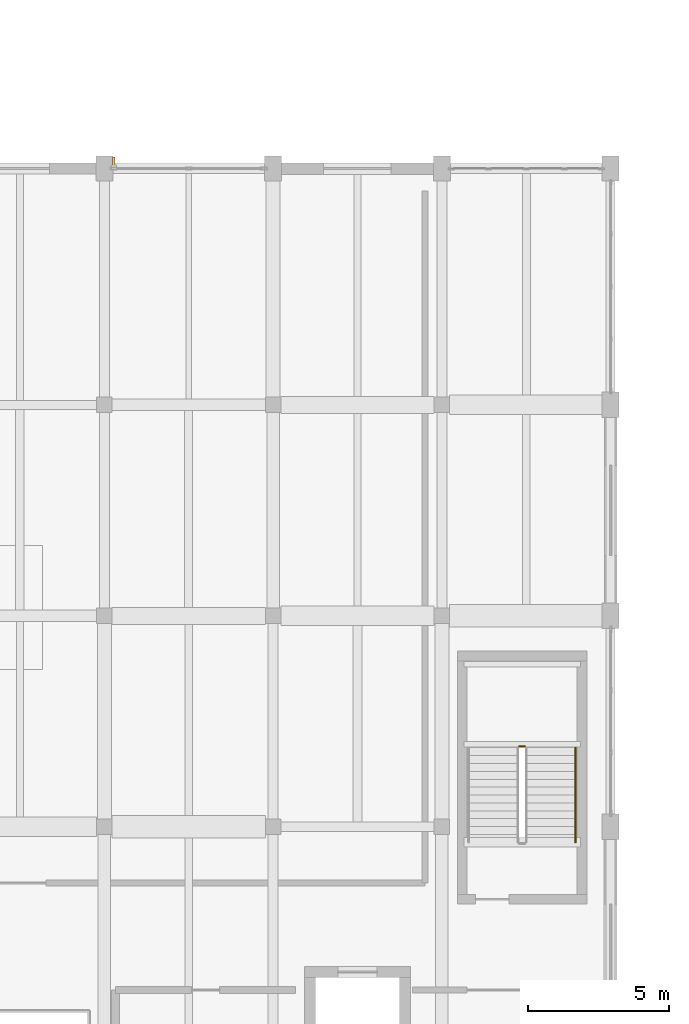
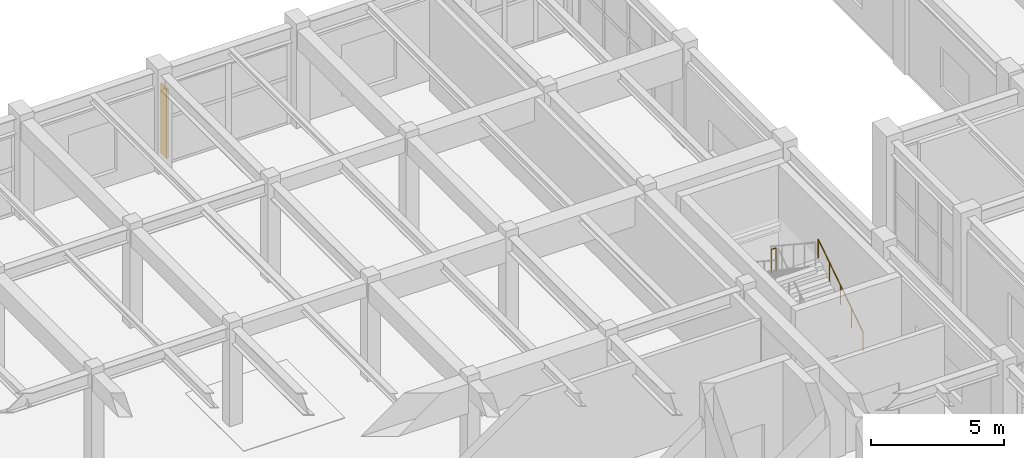
# One storey, part 93 of 96: 2 railings, 1 shading device.
"""IFC4 building model written with IfcOpenShell, lengths in metres."""

from ifc_helpers import new_model, si_unit, direction, frame, origin, origin_2d, place, context, subcontext, project, spatial, rectangle, circle, extrude, material, type_object, element, save


model = new_model("IFC4")

# Units and contexts
model_context = context("Model", 3, precision=1e-05, world=origin(), true_north=direction((0.0, 1.0)))
body_context = subcontext(model_context, "Body", "Model", "MODEL_VIEW")
ifc_project = project(units=[si_unit("LENGTHUNIT", "METRE"), si_unit("AREAUNIT", "SQUARE_METRE"), si_unit("VOLUMEUNIT", "CUBIC_METRE"), si_unit("PLANEANGLEUNIT", "RADIAN"), si_unit("MASSUNIT", "GRAM", prefix="KILO")], contexts=[model_context])

# Site, building, storey
site_placement = place(None, origin())
site = spatial("IfcSite", under=ifc_project, at=site_placement, CompositionType="ELEMENT")
building_placement = place(site_placement, origin())
building = spatial("IfcBuilding", under=site, at=building_placement, Name="Vaelkrest Opera House", CompositionType="ELEMENT")
storey_placement = place(building_placement, frame((0.0, 0.0, 5.39990234375)))
storey = spatial("IfcBuildingStorey", under=building, at=storey_placement, Name="L01", CompositionType="ELEMENT", Elevation=5.39990234375)

# Shading device
ifc_material = material(Name="Dark bronze anodized aluminium", Category="aluminium")
shading_device_type = type_object("IfcShadingDeviceType", Name="FIN01", PredefinedType="USERDEFINED", material=ifc_material)
shading_device_placement = place(storey_placement, frame((-51.261962890625, 33.780029296875, 0.27001953125), z_axis=(0.0, 0.0, 1.0), x_axis=(0.0, 1.0, 0.0)))
element("IfcShadingDevice", 1, at=shading_device_placement, inside=storey, type_object=shading_device_type, Name="Bronze vertical facade fin 12", ObjectType="FIN", PredefinedType="USERDEFINED", context=body_context, shape_type="SweptSolid", body=[
    extrude(rectangle(XDim=0.449951171875, YDim=0.080078125, at=origin_2d()), origin(), (0.0, 0.0, 1.0), 3.199951171875),
])

# Railings
railing_type_1 = type_object("IfcRailingType", Name="GR02", PredefinedType="GUARDRAIL", material=ifc_material)
railing_1_placement = place(storey_placement, frame((-36.64990234375, 13.06005859375, 2.400146484375)))
element("IfcRailing", 2, at=railing_1_placement, inside=storey, type_object=railing_type_1, Name="L01 ST08 stair guard 2", PredefinedType="GUARDRAIL", context=body_context, shape_type="SweptSolid", body=[
    extrude(circle(Radius=0.02392578125, at=origin_2d()), frame((0.0, 0.0, 1.076171875), z_axis=(-1.0, 0.0, 0.0), x_axis=(0.0, -1.0, 0.0)), (0.0, 0.0, 1.0), 0.2001953125),
    extrude(circle(Radius=0.02099609375, at=origin_2d()), origin(), (0.0, 0.0, 1.0), 1.052001953125),
    extrude(circle(Radius=0.02099609375, at=origin_2d()), frame((-0.2001953125, 0.0, 0.0)), (0.0, 0.0, 1.0), 1.052001953125),
])
railing_type_2 = type_object("IfcRailingType", Name="HR02", PredefinedType="HANDRAIL", material=ifc_material)
railing_2_placement = place(storey_placement, frame((-34.85009765625, 9.64990234375, 0.184814453125)))
element("IfcRailing", 3, at=railing_2_placement, inside=storey, type_object=railing_type_2, Name="L01 ST08 stair handrail 1", PredefinedType="HANDRAIL", context=body_context, shape_type="SweptSolid", body=[
    extrude(circle(Radius=0.02392578125, at=origin_2d()), frame((0.0, 0.0, 0.8759765625), z_axis=(0.0, 0.834876476806, 0.550437342915), x_axis=(-1.0, 0.0, 0.0)), (0.0, 0.0, 1.0), 4.024658203125),
    extrude(circle(Radius=0.02099609375, at=origin_2d()), origin(), (0.0, 0.0, 1.0), 0.851806640625),
    extrude(circle(Radius=0.02099609375, at=origin_2d()), frame((0.0, 0.840087890625, 0.5537109375)), (0.0, 0.0, 1.0), 0.851806640625),
    extrude(circle(Radius=0.02099609375, at=origin_2d()), frame((0.0, 1.68017578125, 1.107666015625)), (0.0, 0.0, 1.0), 0.851806640625),
    extrude(circle(Radius=0.02099609375, at=origin_2d()), frame((0.0, 2.52001953125, 1.66162109375)), (0.0, 0.0, 1.0), 0.851806640625),
    extrude(circle(Radius=0.02099609375, at=origin_2d()), frame((0.0, 3.360107421875, 2.21533203125)), (0.0, 0.0, 1.0), 0.851806640625),
])

save(model, "model.ifc")
